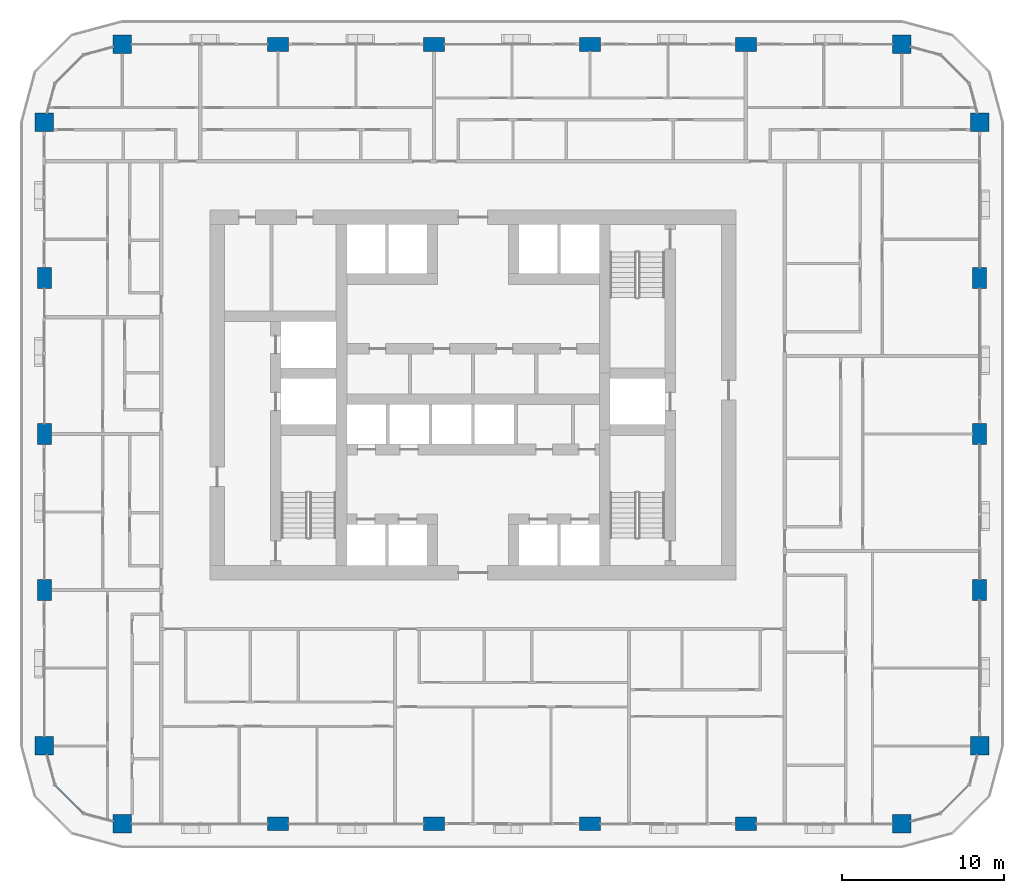
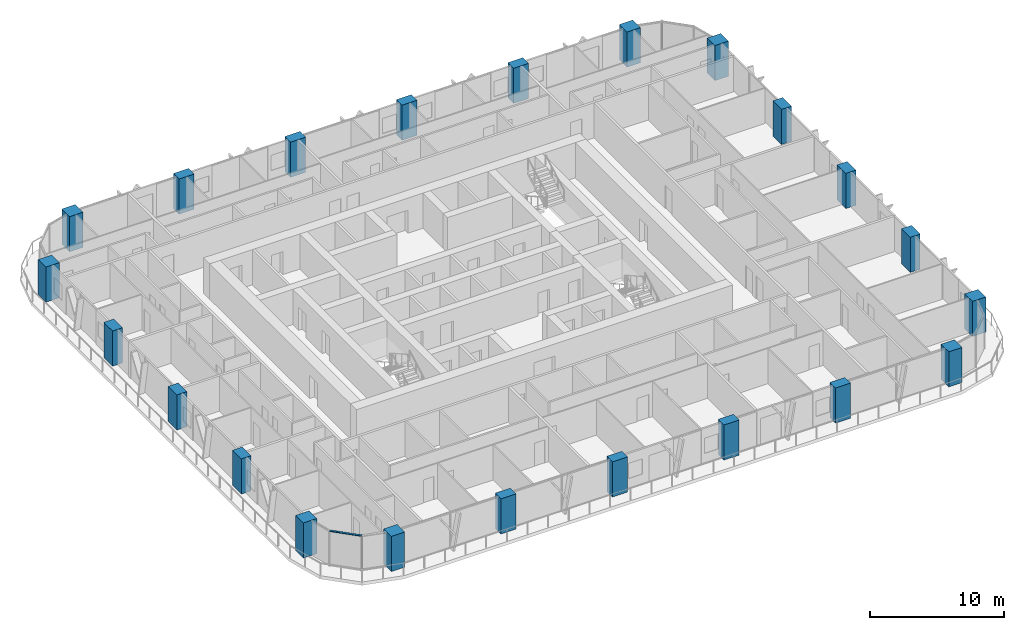
# One storey, part 1 of 22: 22 columns, 1 member, 1 element without a shape of its own.
"""IFC4 building model written with IfcOpenShell, lengths in metres."""

from ifc_helpers import new_model, si_unit, direction, frame, origin, origin_2d, place, context, subcontext, project, spatial, rectangle, extrude, material, layer, layer_set, material_profile, profile_set, type_object, element, aggregate, save


model = new_model("IFC4")

# Units and contexts
model_context = context("Model", 3, precision=1e-05, world=origin(), true_north=direction((0.0, 1.0)))
body_context = subcontext(model_context, "Body", "Model", "MODEL_VIEW")
ifc_project = project(units=[si_unit("LENGTHUNIT", "METRE"), si_unit("AREAUNIT", "SQUARE_METRE"), si_unit("VOLUMEUNIT", "CUBIC_METRE"), si_unit("PLANEANGLEUNIT", "RADIAN"), si_unit("MASSUNIT", "GRAM", prefix="KILO")], contexts=[model_context])

# Site, building, storey
site_placement = place(None, origin())
site = spatial("IfcSite", under=ifc_project, at=site_placement, CompositionType="ELEMENT")
building_placement = place(site_placement, origin())
building = spatial("IfcBuilding", under=site, at=building_placement, Name="Madar Terraces", CompositionType="ELEMENT")
storey_placement = place(building_placement, frame((0.0, 0.0, 59.300048828125)))
storey = spatial("IfcBuildingStorey", under=building, at=storey_placement, Name="L14", CompositionType="ELEMENT", Elevation=59.300048828125)

# Columns
ifc_material_1 = material(Name="Concrete C80/95", Category="concrete")
ifc_material_profile_1 = material_profile(ifc_material_1, rectangle(XDim=1.300048828125, YDim=0.85009765625, at=origin_2d()), Name="CC2 RC 1300x850")
ifc_profile_set_1 = profile_set([ifc_material_profile_1], Name="Concrete C80/95")
column_type_1 = type_object("IfcColumnType", Name="CC2 RC 1300x850", PredefinedType="COLUMN", material=ifc_profile_set_1)
for number, where, z_axis, x_axis, name in (
    (1, (19.199951171875, 0.0, 0.0), (0.0, 0.0, 1.0), (1.0, 0.0, 0.0), "Perimeter column S2"),
    (2, (28.800048828125, 0.0, 0.0), (0.0, 0.0, 1.0), (1.0, 0.0, 0.0), "Perimeter column S3"),
    (3, (38.39990234375, 0.0, 0.0), (0.0, 0.0, 1.0), (1.0, 0.0, 0.0), "Perimeter column S4"),
    (4, (48.0, 0.0, 0.0), (0.0, 0.0, 1.0), (1.0, 0.0, 0.0), "Perimeter column S5"),
    (5, (62.39990234375, 14.39990234375, 0.0), (0.0, 0.0, 1.0), (0.0, 1.0, 0.0), "Perimeter column E2"),
    (6, (62.39990234375, 24.0, 0.0), (0.0, 0.0, 1.0), (0.0, 1.0, 0.0), "Perimeter column E3"),
    (7, (62.39990234375, 33.60009765625, 0.0), (0.0, 0.0, 1.0), (0.0, 1.0, 0.0), "Perimeter column E4"),
    (8, (48.0, 48.0, 0.0), (0.0, 0.0, 1.0), (1.0, 0.0, 0.0), "Perimeter column N2"),
    (9, (38.39990234375, 48.0, 0.0), (0.0, 0.0, 1.0), (1.0, 0.0, 0.0), "Perimeter column N3"),
    (10, (28.800048828125, 48.0, 0.0), (0.0, 0.0, 1.0), (1.0, 0.0, 0.0), "Perimeter column N4"),
    (11, (19.199951171875, 48.0, 0.0), (0.0, 0.0, 1.0), (1.0, 0.0, 0.0), "Perimeter column N5"),
    (12, (4.800048828125, 33.60009765625, 0.0), (0.0, 0.0, 1.0), (0.0, 1.0, 0.0), "Perimeter column W2"),
    (13, (4.800048828125, 24.0, 0.0), (0.0, 0.0, 1.0), (0.0, 1.0, 0.0), "Perimeter column W3"),
    (14, (4.800048828125, 14.39990234375, 0.0), (0.0, 0.0, 1.0), (0.0, 1.0, 0.0), "Perimeter column W4"),
):
    element("IfcColumn", number, at=place(storey_placement, frame(where, z_axis=z_axis, x_axis=x_axis)), inside=storey, type_object=column_type_1, Name=name, PredefinedType="COLUMN", context=body_context, shape_type="SweptSolid", body=[
        extrude(rectangle(XDim=1.300048828125, YDim=0.85009765625, at=origin_2d()), origin(), (0.0, 0.0, 1.0), 3.199951171875),
    ])
ifc_material_2 = material(Name="Concrete C80/95", Category="concrete")
ifc_material_profile_2 = material_profile(ifc_material_2, rectangle(XDim=1.14990234375, YDim=1.14990234375, at=origin_2d()), Name="KC2 RC 1150x1150")
ifc_profile_set_2 = profile_set([ifc_material_profile_2], Name="Concrete C80/95")
column_type_2 = type_object("IfcColumnType", Name="KC2 RC 1150x1150", PredefinedType="COLUMN", material=ifc_profile_set_2)
for number, where, z_axis, x_axis, name in (
    (15, (9.60009765625, 0.0, 0.0), (0.0, 0.0, 1.0), (1.0, 0.0, 0.0), "Perimeter column S1"),
    (16, (57.60009765625, 0.0, 0.0), (0.0, 0.0, 1.0), (1.0, 0.0, 0.0), "Perimeter column S6"),
    (17, (62.39990234375, 4.800048828125, 0.0), (0.0, 0.0, 1.0), (1.0, 0.0, 0.0), "Perimeter column E1"),
    (18, (62.39990234375, 43.199951171875, 0.0), (0.0, 0.0, 1.0), (1.0, 0.0, 0.0), "Perimeter column E5"),
    (19, (57.60009765625, 48.0, 0.0), (0.0, 0.0, 1.0), (1.0, 0.0, 0.0), "Perimeter column N1"),
    (20, (9.60009765625, 48.0, 0.0), (0.0, 0.0, 1.0), (1.0, 0.0, 0.0), "Perimeter column N6"),
    (21, (4.800048828125, 43.199951171875, 0.0), (0.0, 0.0, 1.0), (1.0, 0.0, 0.0), "Perimeter column W1"),
    (22, (4.800048828125, 4.800048828125, 0.0), (0.0, 0.0, 1.0), (1.0, 0.0, 0.0), "Perimeter column W5"),
):
    element("IfcColumn", number, at=place(storey_placement, frame(where, z_axis=z_axis, x_axis=x_axis)), inside=storey, type_object=column_type_2, Name=name, PredefinedType="COLUMN", context=body_context, shape_type="SweptSolid", body=[
        extrude(rectangle(XDim=1.14990234375, YDim=1.14990234375, at=origin_2d()), origin(), (0.0, 0.0, 1.0), 3.199951171875),
    ])

# Curtain wall, member
ifc_material_3 = material(Name="Glass, ceramic frit dark grey, with black aluminium frame", Category="aluminium")
ifc_layer = layer(ifc_material_3, 0.199951171875)
ifc_layer_set = layer_set([ifc_layer], Name="Facade curtain wall, fritted glass")
curtain_wall_type = type_object("IfcCurtainWallType", Name="Facade curtain wall, fritted glass", PredefinedType="NOTDEFINED", material=ifc_layer_set)
curtain_wall_placement = place(storey_placement, origin())
curtain_wall = element("IfcCurtainWall", 23, at=curtain_wall_placement, inside=storey, type_object=curtain_wall_type, Name="Outer skin curtain wall south-west corner", PredefinedType="NOTDEFINED")
ifc_material_4 = material(Name="Aluminium, black anodised", Category="aluminium")
ifc_material_profile_3 = material_profile(ifc_material_4, rectangle(XDim=0.1201171875, YDim=0.06005859375, at=origin_2d()), Name="Facade transom 60x120")
ifc_profile_set_3 = profile_set([ifc_material_profile_3], Name="Aluminium, black anodised")
member_type = type_object("IfcMemberType", Name="Facade transom 60x120", PredefinedType="USERDEFINED", material=ifc_profile_set_3)
member_placement = place(storey_placement, frame((5.46435546875, 2.37890625, 3.169921875), z_axis=(0.707056433593, -0.707157125196, 0.0), x_axis=(0.707157125196, 0.707056433593, 0.0)))
member = element("IfcMember", 24, at=member_placement, type_object=member_type, Name="Transom 2", ObjectType="TRANSOM", PredefinedType="USERDEFINED", context=body_context, shape_type="SweptSolid", body=[
    extrude(rectangle(XDim=0.1201171875, YDim=0.06005859375, at=origin_2d()), origin(), (0.0, 0.0, 1.0), 2.424560546875),
])
aggregate(curtain_wall, [member])

save(model, "model.ifc")
